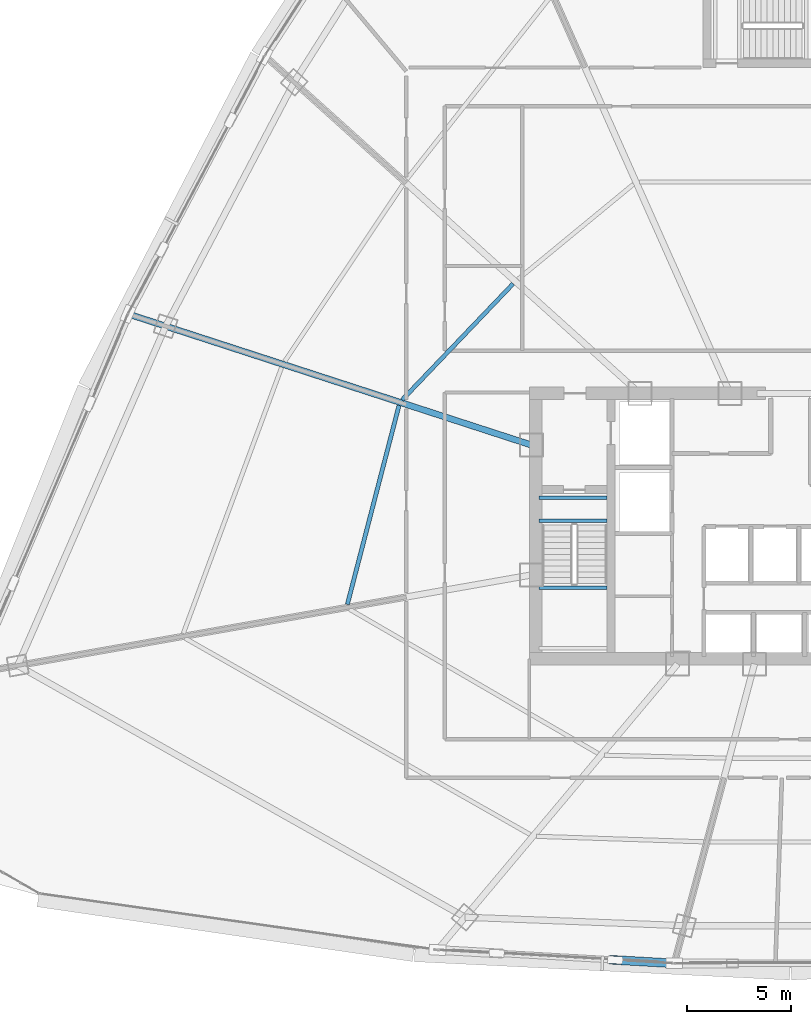
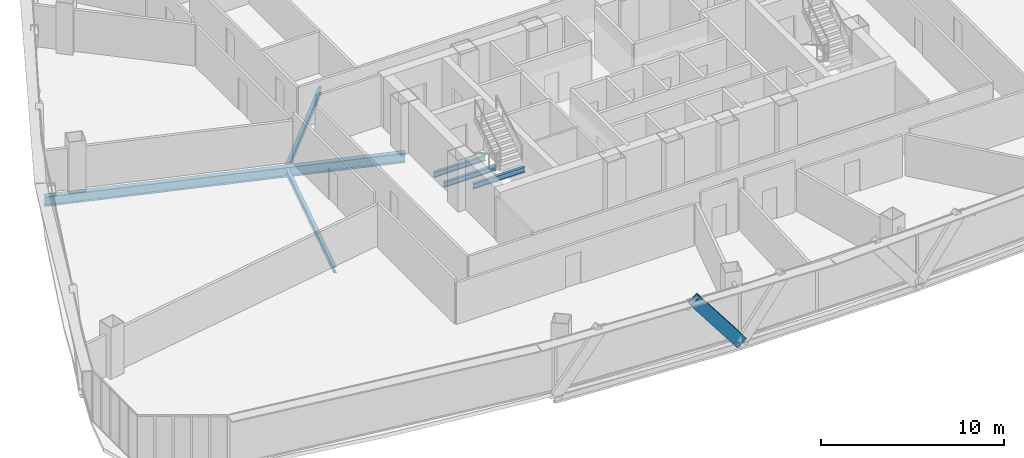
# One storey, part 9 of 42: 6 beams, 1 member.
"""IFC4 building model written with IfcOpenShell, lengths in metres."""

from ifc_helpers import new_model, si_unit, direction, frame, origin, origin_2d, place, context, subcontext, project, spatial, hollow_rectangle, i_section, extrude, source, transform, mapped, material, material_profile, profile_set, type_object, element, save


model = new_model("IFC4")

# Units and contexts
model_context = context("Model", 3, precision=1e-05, world=origin(), true_north=direction((0.0, 1.0)))
body_context = subcontext(model_context, "Body", "Model", "MODEL_VIEW")
ifc_project = project(units=[si_unit("LENGTHUNIT", "METRE"), si_unit("AREAUNIT", "SQUARE_METRE"), si_unit("VOLUMEUNIT", "CUBIC_METRE"), si_unit("PLANEANGLEUNIT", "RADIAN"), si_unit("MASSUNIT", "GRAM", prefix="KILO"), si_unit("THERMODYNAMICTEMPERATUREUNIT", "KELVIN"), si_unit("POWERUNIT", "WATT")], contexts=[model_context])

# Site, building, storey
site_placement = place(None, origin())
site = spatial("IfcSite", under=ifc_project, at=site_placement, CompositionType="ELEMENT")
building_placement = place(site_placement, origin())
building = spatial("IfcBuilding", under=site, at=building_placement, Name="Yunzhuo Pagoda Commons", CompositionType="ELEMENT")
storey_placement = place(building_placement, frame((0.0, 0.0, 129.830078125)))
storey = spatial("IfcBuildingStorey", under=building, at=storey_placement, Name="L32", CompositionType="ELEMENT", Elevation=129.830078125)

# Beams
ifc_material_1 = material(Name="Structural steel Q355B", Category="steel")
ifc_material_profile_1 = material_profile(ifc_material_1, i_section(OverallWidth=0.175048828125, OverallDepth=0.35009765625, WebThickness=0.007080078125, FlangeThickness=0.010986328125, at=origin_2d()), Name="Structural steel Q355B")
ifc_profile_set_1 = profile_set([ifc_material_profile_1], Name="Structural steel Q355B")
beam_type_1 = type_object("IfcBeamType", Name="B-JS2 Joist HN 350x175x7x11", PredefinedType="JOIST", material=ifc_profile_set_1)
shared_shape_1 = source(origin(), body_context, "Body", "SweptSolid", [
    extrude(i_section(OverallWidth=0.175048828125, OverallDepth=0.35009765625, WebThickness=0.007080078125, FlangeThickness=0.010986328125, at=origin_2d()), origin(), (0.0, 0.0, 1.0), 3.25),
])
for number, where, z_axis, x_axis, name in (
    (1, (35.949951171875, 30.89990234375, 1.46484375), (1.0, 0.0, 0.0), (0.0, 1.0, 0.0), "L32 ST1 landing support beam 38B"),
    (2, (35.949951171875, 34.10009765625, -0.375), (1.0, 0.0, 0.0), (0.0, 1.0, 0.0), "L32 ST1 landing support beam 136A"),
    (3, (35.949951171875, 35.199951171875, -0.375), (1.0, 0.0, 0.0), (0.0, 1.0, 0.0), "L32 ST1 landing support beam 136B"),
):
    element("IfcBeam", number, at=place(storey_placement, frame(where, z_axis=z_axis, x_axis=x_axis)), inside=storey, type_object=beam_type_1, Name=name, PredefinedType="JOIST", context=body_context, shape_type="MappedRepresentation", body=[
        mapped(shared_shape_1, transform((0.0, 0.0, 0.0), scale=1.0)),
    ])
ifc_material_profile_2 = material_profile(ifc_material_1, i_section(OverallWidth=0.300048828125, OverallDepth=0.64990234375, WebThickness=0.012939453125, FlangeThickness=0.02197265625, at=origin_2d()), Name="Structural steel Q355B")
ifc_profile_set_2 = profile_set([ifc_material_profile_2], Name="Structural steel Q355B")
beam_type_2 = type_object("IfcBeamType", Name="B-RG2 Beam HN 650x300x13x22", PredefinedType="BEAM", material=ifc_profile_set_2)
shared_shape_2 = source(origin(), body_context, "Body", "SweptSolid", [
    extrude(i_section(OverallWidth=0.300048828125, OverallDepth=0.64990234375, WebThickness=0.012939453125, FlangeThickness=0.02197265625, at=origin_2d()), origin(), (0.0, 0.0, 1.0), 20.159912109375),
])
beam_1_placement = place(storey_placement, frame((16.427001953125, 43.958740234375, -0.5849609375), z_axis=(0.951056226242, -0.309017887067, 0.0), x_axis=(0.309017887067, 0.951056226242, 0.0)))
element("IfcBeam", 4, at=beam_1_placement, inside=storey, type_object=beam_type_2, Name="L32 radial floor girder F3C3", PredefinedType="BEAM", context=body_context, shape_type="MappedRepresentation", body=[
    mapped(shared_shape_2, transform((0.0, 0.0, 0.0), scale=1.0)),
])
ifc_material_profile_3 = material_profile(ifc_material_1, i_section(OverallWidth=0.199951171875, OverallDepth=0.39990234375, WebThickness=0.008056640625, FlangeThickness=0.012939453125, at=origin_2d()), Name="Structural steel Q355B")
ifc_profile_set_3 = profile_set([ifc_material_profile_3], Name="Structural steel Q355B")
beam_type_3 = type_object("IfcBeamType", Name="B-JS1 Joist HN 400x200x8x13", PredefinedType="JOIST", material=ifc_profile_set_3)
shared_shape_3 = source(origin(), body_context, "Body", "SweptSolid", [
    extrude(i_section(OverallWidth=0.199951171875, OverallDepth=0.39990234375, WebThickness=0.008056640625, FlangeThickness=0.012939453125, at=origin_2d()), origin(), (0.0, 0.0, 1.0), 9.8330078125),
])
beam_2_placement = place(storey_placement, frame((29.254638671875, 39.623779296875, -0.4599609375), z_axis=(-0.251166367041, -0.967943932295, 0.0), x_axis=(0.967943932295, -0.251166367041, 0.0)))
element("IfcBeam", 5, at=beam_2_placement, inside=storey, type_object=beam_type_3, Name="L32 composite ring joist 1.11", PredefinedType="JOIST", context=body_context, shape_type="MappedRepresentation", body=[
    mapped(shared_shape_3, transform((0.0, 0.0, 0.0), scale=1.0)),
])
shared_shape_4 = source(origin(), body_context, "Body", "SweptSolid", [
    extrude(i_section(OverallWidth=0.199951171875, OverallDepth=0.39990234375, WebThickness=0.008056640625, FlangeThickness=0.012939453125, at=origin_2d()), origin(), (0.0, 0.0, 1.0), 7.685546875),
])
beam_3_placement = place(storey_placement, frame((34.714111328125, 45.448974609375, -0.4599609375), z_axis=(-0.690882862648, -0.722966714378, 0.0), x_axis=(0.722966714378, -0.690882862648, 0.0)))
element("IfcBeam", 6, at=beam_3_placement, inside=storey, type_object=beam_type_3, Name="L32 composite ring joist 1.10", PredefinedType="JOIST", context=body_context, shape_type="MappedRepresentation", body=[
    mapped(shared_shape_4, transform((0.0, 0.0, 0.0), scale=1.0)),
])

# Member
ifc_material_2 = material(Name="Structural steel Q420B", Category="steel")
ifc_material_profile_4 = material_profile(ifc_material_2, hollow_rectangle(XDim=0.419921875, YDim=0.719970703125, WallThickness=0.028076171875, at=origin_2d()), Name="Structural steel Q420B")
ifc_profile_set_4 = profile_set([ifc_material_profile_4], Name="Structural steel Q420B")
member_type = type_object("IfcMemberType", Name="M-DL1 Brace BOX 720x420x28", PredefinedType="BRACE", material=ifc_profile_set_4)
shared_shape_5 = source(origin(), body_context, "Body", "SweptSolid", [
    extrude(hollow_rectangle(XDim=0.419921875, YDim=0.719970703125, WallThickness=0.028076171875, at=origin_2d()), origin(), (0.0, 0.0, 1.0), 4.646728515625),
])
member_placement = place(storey_placement, frame((42.431640625, 12.917724609375, -0.260009765625), z_axis=(-0.609621912404, 0.034623876607, 0.791935799851), x_axis=(-0.056704273124, -0.998391018294, 0.0)))
element("IfcMember", 7, at=member_placement, inside=storey, type_object=member_type, Name="L32 facade diamond brace F1.1R", PredefinedType="BRACE", context=body_context, shape_type="MappedRepresentation", body=[
    mapped(shared_shape_5, transform((0.0, 0.0, 0.0), scale=1.0)),
])

save(model, "model.ifc")
